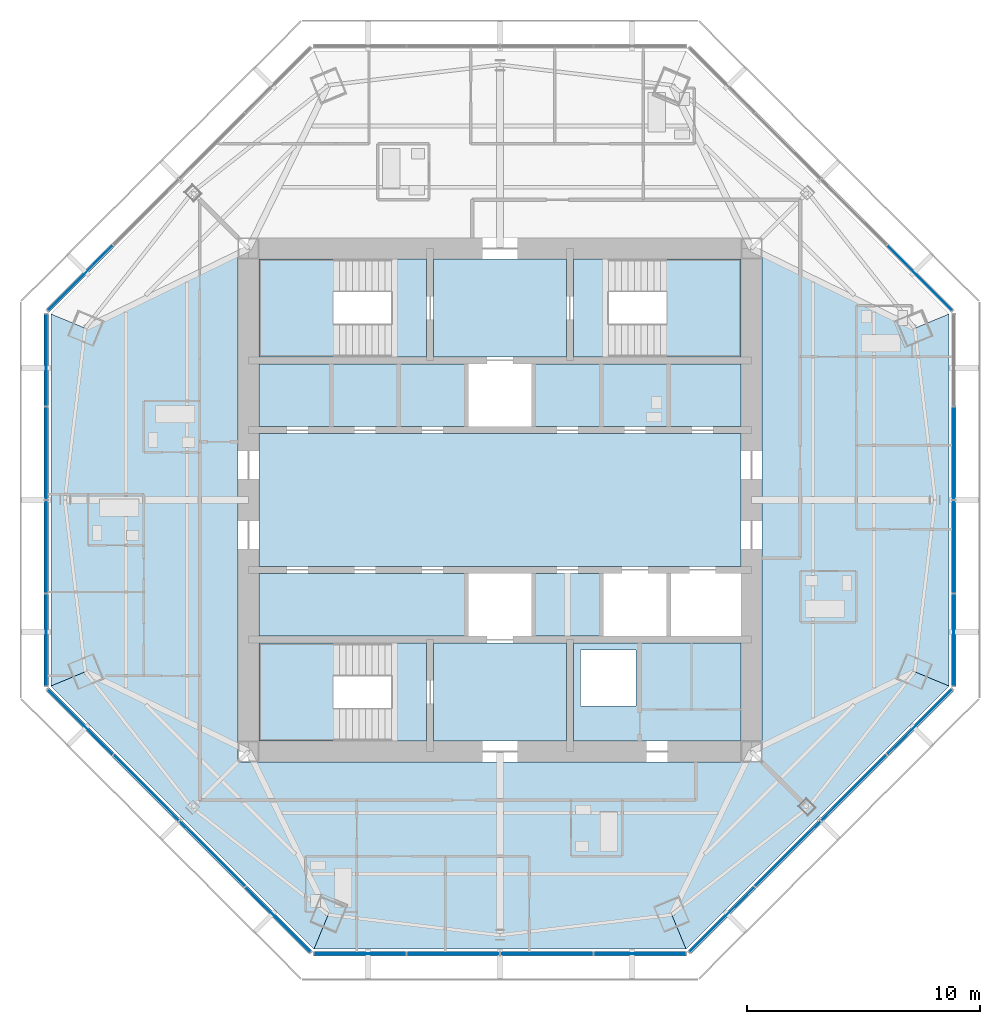
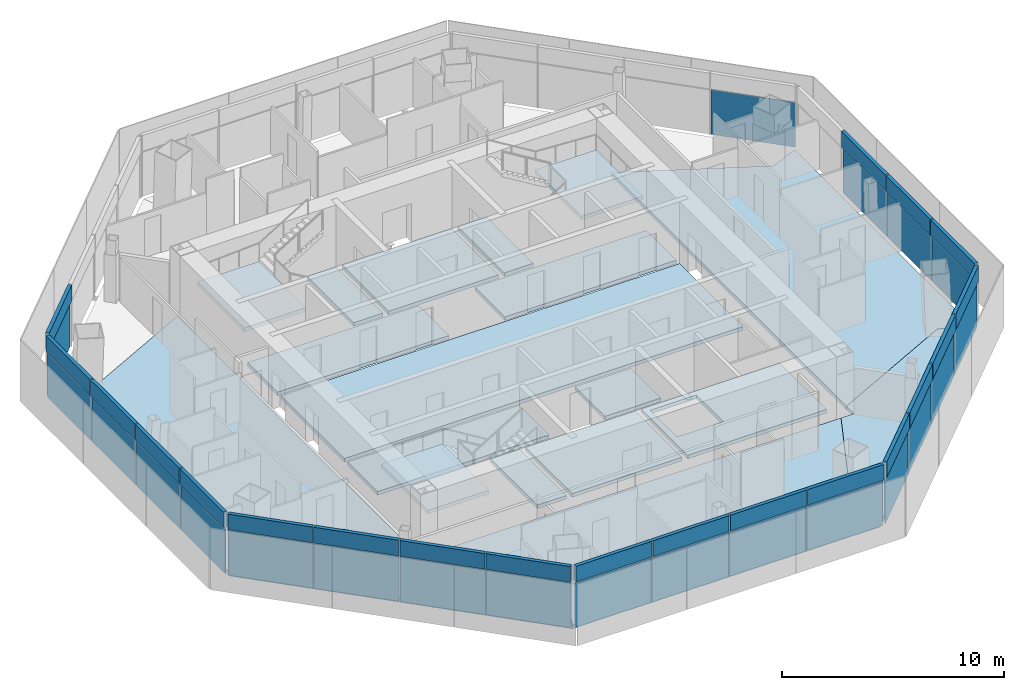
# One storey, part 7 of 15: 41 plates, 19 slabs, 10 elements without a shape of their own.
"""IFC4 building model written with IfcOpenShell, lengths in metres."""

import ifcopenshell
import ifcopenshell.guid

model = None  # the IFC model being written
_history = None  # IfcOwnerHistory: only IFC2X3 demands one
_inside = {}  # id of a spatial element -> (the spatial element, [elements in it])
_under = {}  # id of a project, library or spatial element -> (it, [spatial elements below it])
_declared = {}  # id of a project -> (the project, [libraries it declares])
_typed = {}  # id of a type object -> (the type object, [elements of that type])
_made_of = {}  # id of a material, layer set ... -> (it, [elements and type objects made of it])


def new_model(schema):
    """Start an empty IFC model of exactly this schema.

    Asked for "IFC4X3", IfcOpenShell would pick the latest addendum, in which some entities
    have other attributes; the version numbers below select the first issue.
    IFC2X3 requires an IfcOwnerHistory on every rooted entity: one is made here for all.
    """
    global model, _history
    if schema == "IFC4X3":
        model = ifcopenshell.file(schema_version=(4, 3, 0, 0))
    else:
        model = ifcopenshell.file(schema=schema)
    _inside.clear()
    _under.clear()
    _declared.clear()
    _typed.clear()
    _made_of.clear()
    _history = None
    if model.schema == "IFC2X3":
        org = make("IfcOrganization", Name="unknown")
        user = make(
            "IfcPersonAndOrganization",
            ThePerson=make("IfcPerson", FamilyName="unknown"),
            TheOrganization=org,
        )
        app = make(
            "IfcApplication",
            ApplicationDeveloper=org,
            Version="unknown",
            ApplicationFullName="unknown",
            ApplicationIdentifier="unknown",
        )
        _history = make(
            "IfcOwnerHistory",
            OwningUser=user,
            OwningApplication=app,
            ChangeAction="ADDED",
            CreationDate=0,
        )
    return model


def make(cls, **values):
    """One entity of the class cls with the attributes given. An attribute that is None is left unset."""
    return model.create_entity(
        cls, **{name: value for name, value in values.items() if value is not None}
    )


def rooted(cls, **values):
    """An entity with a GlobalId (a new one), such as an element, a storey or a relation."""
    return make(cls, GlobalId=ifcopenshell.guid.new(), OwnerHistory=_history, **values)


def si_unit(unit_type, name, prefix=None):
    """IfcSIUnit, for example si_unit("LENGTHUNIT", "METRE", prefix="MILLI")."""
    return make("IfcSIUnit", UnitType=unit_type, Prefix=prefix, Name=name)


def assignment(units):
    """IfcUnitAssignment: the units of a project."""
    return None if units is None else make("IfcUnitAssignment", Units=units)


def point(xyz):
    """IfcCartesianPoint."""
    return None if xyz is None else make("IfcCartesianPoint", Coordinates=xyz)


def direction(xyz):
    """IfcDirection."""
    return None if xyz is None else make("IfcDirection", DirectionRatios=xyz)


def frame(location, z_axis=None, x_axis=None):
    """IfcAxis2Placement3D, a coordinate frame: its origin and axes. An axis left out is left unset."""
    return make(
        "IfcAxis2Placement3D",
        Location=point(location),
        Axis=direction(z_axis),
        RefDirection=direction(x_axis),
    )


def frame_2d(location, x_axis=None):
    """IfcAxis2Placement2D, a coordinate frame in the plane: its origin and x axis."""
    return make(
        "IfcAxis2Placement2D", Location=point(location), RefDirection=direction(x_axis)
    )


def origin():
    """The frame at (0, 0, 0) with its axes left unset."""
    return frame((0.0, 0.0, 0.0))


def origin_2d():
    """The frame at (0, 0) in the plane with its x axis left unset."""
    return frame_2d((0.0, 0.0))


def place(relative_to, where):
    """IfcLocalPlacement: puts the frame where relative to a parent placement (None: the world)."""
    return make(
        "IfcLocalPlacement", PlacementRelTo=relative_to, RelativePlacement=where
    )


def context(
    kind, dimensions, precision=None, world=None, true_north=None, identifier=None
):
    """IfcGeometricRepresentationContext, for example the 3D "Model" context."""
    return make(
        "IfcGeometricRepresentationContext",
        ContextIdentifier=identifier,
        ContextType=kind,
        CoordinateSpaceDimension=dimensions,
        Precision=precision,
        WorldCoordinateSystem=world,
        TrueNorth=true_north,
    )


def subcontext(parent, identifier, kind, view, scale=None):
    """IfcGeometricRepresentationSubContext, for example "Body" below "Model"."""
    return make(
        "IfcGeometricRepresentationSubContext",
        ContextIdentifier=identifier,
        ContextType=kind,
        ParentContext=parent,
        TargetScale=scale,
        TargetView=view,
    )


def project(units=None, contexts=None):
    """IfcProject with its units and contexts."""
    return rooted(
        "IfcProject",
        Name="project",
        RepresentationContexts=contexts,
        UnitsInContext=assignment(units),
    )


def spatial(cls, under=None, at=None, **own):
    """A site, building, storey or space (cls), placed at a placement, below another one or the project."""
    s = rooted(cls, ObjectPlacement=at, **own)
    if under is not None:
        _under.setdefault(under.id(), (under, []))[1].append(s)
    return s


def polyline(points):
    """IfcPolyline through the points."""
    return make("IfcPolyline", Points=[point(p) for p in points])


def profile(cls, at=None, kind="AREA", **sizes):
    """A parametric profile (cls). Its sizes go by their IFC names, for example OverallWidth=200.0."""
    return make(cls, ProfileType=kind, Position=at, **sizes)


def rectangle(**sizes):
    """IfcRectangleProfileDef."""
    return profile("IfcRectangleProfileDef", **sizes)


def outline(outer, holes=None, kind="AREA"):
    """IfcArbitraryClosedProfileDef: a profile drawn as a closed curve; with holes, ...WithVoids."""
    if holes is None:
        return make("IfcArbitraryClosedProfileDef", ProfileType=kind, OuterCurve=outer)
    return make(
        "IfcArbitraryProfileDefWithVoids",
        ProfileType=kind,
        OuterCurve=outer,
        InnerCurves=holes,
    )


def extrude(swept, where, along, depth):
    """IfcExtrudedAreaSolid: the profile swept, set in the frame where, extruded along a direction by depth."""
    return make(
        "IfcExtrudedAreaSolid",
        SweptArea=swept,
        Position=where,
        ExtrudedDirection=direction(along),
        Depth=depth,
    )


def shape(context_of_items, identifier, shape_type, items):
    """IfcShapeRepresentation: the items that make up one representation, for example the "Body"."""
    return make(
        "IfcShapeRepresentation",
        ContextOfItems=context_of_items,
        RepresentationIdentifier=identifier,
        RepresentationType=shape_type,
        Items=items,
    )


def source(mapping_origin, context_of_items, identifier, shape_type, items):
    """IfcRepresentationMap: a shape defined once, which mapped items show again and again."""
    return make(
        "IfcRepresentationMap",
        MappingOrigin=mapping_origin,
        MappedRepresentation=shape(context_of_items, identifier, shape_type, items),
    )


def transform(
    local_origin,
    x_axis=None,
    y_axis=None,
    z_axis=None,
    scale=None,
    scale2=None,
    scale3=None,
    uniform=True,
):
    """IfcCartesianTransformationOperator3D, or its non-uniform kind. x_axis, y_axis, z_axis: its Axis1, 2, 3."""
    if uniform:
        return make(
            "IfcCartesianTransformationOperator3D",
            Axis1=direction(x_axis),
            Axis2=direction(y_axis),
            LocalOrigin=point(local_origin),
            Scale=scale,
            Axis3=direction(z_axis),
        )
    return make(
        "IfcCartesianTransformationOperator3DnonUniform",
        Axis1=direction(x_axis),
        Axis2=direction(y_axis),
        LocalOrigin=point(local_origin),
        Scale=scale,
        Axis3=direction(z_axis),
        Scale2=scale2,
        Scale3=scale3,
    )


def mapped(mapping_source, mapping_target):
    """IfcMappedItem: shows the shape of a source again, moved by a transform."""
    return make(
        "IfcMappedItem", MappingSource=mapping_source, MappingTarget=mapping_target
    )


def material(Name=None, Category=None):
    """IfcMaterial."""
    return make("IfcMaterial", Name=Name, Category=Category)


def layer(
    of_material, thickness, ventilated=None, Name=None, Category=None, Priority=None
):
    """IfcMaterialLayer: one layer of a wall or slab, of a material (None: an air gap)."""
    return make(
        "IfcMaterialLayer",
        Material=of_material,
        LayerThickness=thickness,
        IsVentilated=ventilated,
        Name=Name,
        Category=Category,
        Priority=Priority,
    )


def layer_set(layers, Name=None):
    """IfcMaterialLayerSet."""
    return make("IfcMaterialLayerSet", MaterialLayers=layers, LayerSetName=Name)


def made_of(thing, what):
    """Note that an element or type object is made of a material, layer set ...; save() writes the relation."""
    if what is not None:
        _made_of.setdefault(what.id(), (what, []))[1].append(thing)
    return thing


def type_object(cls, material=None, **own):
    """A type object (cls), such as IfcWallType, which elements share."""
    return made_of(rooted(cls, **own), material)


def type_shapes(of_type, sources):
    """Give a type object the sources (RepresentationMaps) that its elements show as mapped items."""
    of_type.RepresentationMaps = sources


def element(
    cls,
    number,
    at=None,
    inside=None,
    cuts=None,
    type_object=None,
    material=None,
    context=None,
    identifier="Body",
    shape_type=None,
    held_by="IfcProductDefinitionShape",
    body=None,
    shapes=None,
    **own,
):
    """One element of the class cls, such as IfcWall. Its Tag is "e" and its number.

    at: its placement. inside: the storey or other place that contains it. cuts: it is an
    opening in that element (IfcRelVoidsElement). A single representation is given by context,
    identifier, shape_type and body (its items); several are given by shapes. held_by: the class
    of the entity that holds the representations. save() writes the other relations.
    """
    e = rooted(cls, Tag="e%d" % number, ObjectPlacement=at, **own)
    if body is not None:
        shapes = [shape(context, identifier, shape_type, body)]
    if shapes is not None:
        e.Representation = make(held_by, Representations=shapes)
    if inside is not None:
        _inside.setdefault(inside.id(), (inside, []))[1].append(e)
    if cuts is not None:
        rooted(
            "IfcRelVoidsElement", RelatingBuildingElement=cuts, RelatedOpeningElement=e
        )
    if type_object is not None:
        _typed.setdefault(type_object.id(), (type_object, []))[1].append(e)
    return made_of(e, material)


def aggregate(whole, parts):
    """IfcRelAggregates: a whole, such as a stair, and the parts it consists of."""
    return rooted("IfcRelAggregates", RelatingObject=whole, RelatedObjects=parts)


def save(model, path):
    """Write the relations noted so far, then the file.

    IfcRelAggregates (storeys below a building ...), IfcRelContainedInSpatialStructure (elements
    in a storey), IfcRelDefinesByType, IfcRelAssociatesMaterial and IfcRelDeclares: one each for
    every whole, place, type object, material and project.
    """
    for whole, parts in _under.values():
        aggregate(whole, parts)
    for where, things in _inside.values():
        rooted(
            "IfcRelContainedInSpatialStructure",
            RelatedElements=things,
            RelatingStructure=where,
        )
    for kind, things in _typed.values():
        rooted("IfcRelDefinesByType", RelatedObjects=things, RelatingType=kind)
    for what, things in _made_of.values():
        rooted("IfcRelAssociatesMaterial", RelatedObjects=things, RelatingMaterial=what)
    for by, libraries in _declared.values():
        rooted("IfcRelDeclares", RelatingContext=by, RelatedDefinitions=libraries)
    model.write(path)


model = new_model("IFC4")

# Units and contexts
model_context = context("Model", 3, precision=1e-05, world=origin(), true_north=direction((0.0, 1.0)))
body_context = subcontext(model_context, "Body", "Model", "MODEL_VIEW")
ifc_project = project(units=[si_unit("LENGTHUNIT", "METRE"), si_unit("AREAUNIT", "SQUARE_METRE"), si_unit("VOLUMEUNIT", "CUBIC_METRE"), si_unit("PLANEANGLEUNIT", "RADIAN"), si_unit("MASSUNIT", "GRAM", prefix="KILO")], contexts=[model_context])

# Site, building, storey
site_placement = place(None, origin())
site = spatial("IfcSite", under=ifc_project, at=site_placement, CompositionType="ELEMENT")
building_placement = place(site_placement, origin())
building = spatial("IfcBuilding", under=site, at=building_placement, Name="Mashrafa Tower", CompositionType="ELEMENT")
storey_placement = place(building_placement, frame((0.0, 0.0, 301.39990234375)))
storey = spatial("IfcBuildingStorey", under=building, at=storey_placement, Name="L74", CompositionType="ELEMENT", Elevation=301.39990234375)

# Slabs
ifc_material_1 = material(Name="Concrete C35/45", Category="concrete")
ifc_layer_1 = layer(ifc_material_1, 0.199951171875)
ifc_layer_set_1 = layer_set([ifc_layer_1], Name="Floor slab 200")
slab_type_1 = type_object("IfcSlabType", Name="Floor slab 200", PredefinedType="FLOOR", material=ifc_layer_set_1)
slab_1_placement = place(storey_placement, frame((0.0, 0.0, -0.199951171875)))
element("IfcSlab", 1, at=slab_1_placement, inside=storey, type_object=slab_type_1, Name="Floor slab L74 east bay", PredefinedType="FLOOR", context=body_context, shape_type="SweptSolid", body=[
    extrude(outline(polyline([(19.28857421875, -7.989501953125), (17.81591796875, -7.379638671875), (11.25, -10.58056640625), (11.25, 10.58056640625), (17.81591796875, 7.379638671875), (19.28857421875, 7.989501953125), (19.28857421875, -7.989501953125)])), origin(), (0.0, 0.0, 1.0), 0.199951171875),
])
slab_2_placement = place(storey_placement, frame((0.0, 0.0, -0.199951171875)))
element("IfcSlab", 2, at=slab_2_placement, inside=storey, type_object=slab_type_1, Name="Floor slab L74 west bay", PredefinedType="FLOOR", context=body_context, shape_type="SweptSolid", body=[
    extrude(outline(polyline([(-19.28857421875, 7.989501953125), (-17.81591796875, 7.379638671875), (-11.25, 10.58056640625), (-11.25, -10.58056640625), (-17.81591796875, -7.379638671875), (-19.28857421875, -7.989501953125), (-19.28857421875, 7.989501953125)])), origin(), (0.0, 0.0, 1.0), 0.199951171875),
])
slab_3_placement = place(storey_placement, frame((0.0, 0.0, -0.199951171875)))
element("IfcSlab", 3, at=slab_3_placement, inside=storey, type_object=slab_type_1, Name="Floor slab L74 south-west bay", PredefinedType="FLOOR", context=body_context, shape_type="SweptSolid", body=[
    extrude(outline(polyline([(-7.989501953125, -19.28857421875), (-19.28857421875, -7.989501953125), (-19.28857421875, -7.989501953125), (-17.81591796875, -7.379638671875), (-11.25, -10.58056640625), (-11.25, -11.25), (-10.58056640625, -11.25), (-7.379638671875, -17.81591796875), (-7.989501953125, -19.28857421875), (-7.989501953125, -19.28857421875)])), origin(), (0.0, 0.0, 1.0), 0.199951171875),
])
slab_4_placement = place(storey_placement, frame((0.0, 0.0, -0.199951171875)))
element("IfcSlab", 4, at=slab_4_placement, inside=storey, type_object=slab_type_1, Name="Floor slab L74 south bay", PredefinedType="FLOOR", context=body_context, shape_type="SweptSolid", body=[
    extrude(outline(polyline([(-7.989501953125, -19.28857421875), (-7.379638671875, -17.81591796875), (-10.58056640625, -11.25), (10.58056640625, -11.25), (7.379638671875, -17.81591796875), (7.989501953125, -19.28857421875), (-7.989501953125, -19.28857421875)])), origin(), (0.0, 0.0, 1.0), 0.199951171875),
])
slab_5_placement = place(storey_placement, frame((0.0, 0.0, -0.199951171875)))
element("IfcSlab", 5, at=slab_5_placement, inside=storey, type_object=slab_type_1, Name="Floor slab L74 south-east bay", PredefinedType="FLOOR", context=body_context, shape_type="SweptSolid", body=[
    extrude(outline(polyline([(7.989501953125, -19.28857421875), (7.379638671875, -17.81591796875), (10.58056640625, -11.25), (11.25, -11.25), (11.25, -10.58056640625), (17.81591796875, -7.379638671875), (19.28857421875, -7.989501953125), (19.28857421875, -7.989501953125), (7.989501953125, -19.28857421875), (7.989501953125, -19.28857421875)])), origin(), (0.0, 0.0, 1.0), 0.199951171875),
])
slab_6_placement = place(storey_placement, frame((0.0, 0.0, -0.199951171875)))
element("IfcSlab", 6, at=slab_6_placement, inside=storey, type_object=slab_type_1, Name="Core floor lift hall L74", PredefinedType="FLOOR", context=body_context, shape_type="SweptSolid", body=[
    extrude(outline(polyline([(-10.35009765625, 2.85009765625), (10.35009765625, 2.85009765625), (10.35009765625, -2.85009765625), (-10.35009765625, -2.85009765625), (-10.35009765625, 2.85009765625)])), origin(), (0.0, 0.0, 1.0), 0.199951171875),
])
slab_7_placement = place(storey_placement, frame((0.0, 0.0, -0.199951171875)))
element("IfcSlab", 7, at=slab_7_placement, inside=storey, type_object=slab_type_1, Name="Core floor riser and electrical band L74", PredefinedType="FLOOR", context=body_context, shape_type="SweptSolid", body=[
    extrude(outline(polyline([(10.35009765625, -6.14990234375), (10.35009765625, -10.35009765625), (3.14990234375, -10.35009765625), (3.14990234375, -6.14990234375), (10.35009765625, -6.14990234375)]), holes=[polyline([(3.449951171875, -8.85009765625), (5.85009765625, -8.85009765625), (5.85009765625, -6.449951171875), (3.449951171875, -6.449951171875), (3.449951171875, -8.85009765625)])]), origin(), (0.0, 0.0, 1.0), 0.199951171875),
])
slab_8_placement = place(storey_placement, frame((0.0, 0.0, -0.199951171875)))
element("IfcSlab", 8, at=slab_8_placement, inside=storey, type_object=slab_type_1, Name="Core floor lift cell L74", PredefinedType="FLOOR", context=body_context, shape_type="SweptSolid", body=[
    extrude(outline(polyline([(10.35009765625, 5.85009765625), (10.35009765625, 3.14990234375), (1.449951171875, 3.14990234375), (1.449951171875, 5.85009765625), (10.35009765625, 5.85009765625)])), origin(), (0.0, 0.0, 1.0), 0.199951171875),
])
slab_9_placement = place(storey_placement, frame((0.0, 0.0, -0.199951171875)))
element("IfcSlab", 9, at=slab_9_placement, inside=storey, type_object=slab_type_1, Name="Core floor lift cell L74", PredefinedType="FLOOR", context=body_context, shape_type="SweptSolid", body=[
    extrude(outline(polyline([(-1.449951171875, 3.14990234375), (-10.35009765625, 3.14990234375), (-10.35009765625, 5.85009765625), (-1.449951171875, 5.85009765625), (-1.449951171875, 3.14990234375)])), origin(), (0.0, 0.0, 1.0), 0.199951171875),
])
slab_10_placement = place(storey_placement, frame((0.0, 0.0, -0.199951171875)))
element("IfcSlab", 10, at=slab_10_placement, inside=storey, type_object=slab_type_1, Name="Core floor lift cell L74", PredefinedType="FLOOR", context=body_context, shape_type="SweptSolid", body=[
    extrude(outline(polyline([(-1.449951171875, -3.14990234375), (-1.449951171875, -5.85009765625), (-10.35009765625, -5.85009765625), (-10.35009765625, -3.14990234375), (-1.449951171875, -3.14990234375)])), origin(), (0.0, 0.0, 1.0), 0.199951171875),
])
slab_11_placement = place(storey_placement, frame((0.0, 0.0, -0.199951171875)))
element("IfcSlab", 11, at=slab_11_placement, inside=storey, type_object=slab_type_1, Name="Core floor fire-fighting lobby south L74", PredefinedType="FLOOR", context=body_context, shape_type="SweptSolid", body=[
    extrude(outline(polyline([(2.85009765625, -6.14990234375), (2.85009765625, -10.35009765625), (-2.85009765625, -10.35009765625), (-2.85009765625, -6.14990234375), (2.85009765625, -6.14990234375)])), origin(), (0.0, 0.0, 1.0), 0.199951171875),
])
slab_12_placement = place(storey_placement, frame((0.0, 0.0, -0.199951171875)))
element("IfcSlab", 12, at=slab_12_placement, inside=storey, type_object=slab_type_1, Name="Core floor fire-fighting lobby north L74", PredefinedType="FLOOR", context=body_context, shape_type="SweptSolid", body=[
    extrude(outline(polyline([(-2.85009765625, 10.35009765625), (2.85009765625, 10.35009765625), (2.85009765625, 6.14990234375), (-2.85009765625, 6.14990234375), (-2.85009765625, 10.35009765625)])), origin(), (0.0, 0.0, 1.0), 0.199951171875),
])
slab_13_placement = place(storey_placement, frame((0.0, 0.0, -0.199951171875)))
element("IfcSlab", 13, at=slab_13_placement, inside=storey, type_object=slab_type_1, Name="Core floor lift cell L74", PredefinedType="FLOOR", context=body_context, shape_type="SweptSolid", body=[
    extrude(outline(polyline([(4.35009765625, -3.14990234375), (4.35009765625, -5.85009765625), (1.449951171875, -5.85009765625), (1.449951171875, -3.14990234375), (4.35009765625, -3.14990234375)])), origin(), (0.0, 0.0, 1.0), 0.199951171875),
])

# Stair, slabs
ifc_material_2 = material(Name="Exit stair 1400")
stair_type = type_object("IfcStairType", Name="Exit stair 1400", PredefinedType="HALF_TURN_STAIR", material=ifc_material_2)
stair_1_placement = place(storey_placement, origin())
stair_1 = element("IfcStair", 14, at=stair_1_placement, inside=storey, type_object=stair_type, Name="Stair S1 L74", PredefinedType="HALF_TURN_STAIR")
ifc_material_3 = material(Name="Concrete C32/40", Category="concrete")
ifc_layer_2 = layer(ifc_material_3, 0.199951171875)
ifc_layer_set_2 = layer_set([ifc_layer_2], Name="Stair landing 200")
slab_type_2 = type_object("IfcSlabType", Name="Stair landing 200", PredefinedType="LANDING", material=ifc_layer_set_2)
slab_14_placement = place(storey_placement, frame((0.0, 0.0, -0.199951171875)))
slab_14 = element("IfcSlab", 15, at=slab_14_placement, type_object=slab_type_2, Name="S1 landing 1", PredefinedType="LANDING", context=body_context, shape_type="SweptSolid", body=[
    extrude(outline(polyline([(-4.659912109375, 6.14990234375), (-3.14990234375, 6.14990234375), (-3.14990234375, 10.35009765625), (-4.659912109375, 10.35009765625), (-4.659912109375, 6.14990234375)])), origin(), (0.0, 0.0, 1.0), 0.199951171875),
])
slab_15_placement = place(storey_placement, frame((0.0, 0.0, 1.5)))
slab_15 = element("IfcSlab", 16, at=slab_15_placement, type_object=slab_type_2, Name="S1 landing 2", PredefinedType="LANDING", context=body_context, shape_type="SweptSolid", body=[
    extrude(outline(polyline([(-10.35009765625, 6.14990234375), (-7.159912109375, 6.14990234375), (-7.159912109375, 10.35009765625), (-10.35009765625, 10.35009765625), (-10.35009765625, 6.14990234375)])), origin(), (0.0, 0.0, 1.0), 0.2001953125),
])
aggregate(stair_1, [slab_14, slab_15])

stair_2_placement = place(storey_placement, origin())
stair_2 = element("IfcStair", 17, at=stair_2_placement, inside=storey, type_object=stair_type, Name="Stair S2 L74", PredefinedType="HALF_TURN_STAIR")
slab_16_placement = place(storey_placement, frame((0.0, 0.0, -0.199951171875)))
slab_16 = element("IfcSlab", 18, at=slab_16_placement, type_object=slab_type_2, Name="S2 landing 1", PredefinedType="LANDING", context=body_context, shape_type="SweptSolid", body=[
    extrude(outline(polyline([(3.14990234375, 6.14990234375), (4.659912109375, 6.14990234375), (4.659912109375, 10.35009765625), (3.14990234375, 10.35009765625), (3.14990234375, 6.14990234375)])), origin(), (0.0, 0.0, 1.0), 0.199951171875),
])
slab_17_placement = place(storey_placement, frame((0.0, 0.0, 1.5)))
slab_17 = element("IfcSlab", 19, at=slab_17_placement, type_object=slab_type_2, Name="S2 landing 2", PredefinedType="LANDING", context=body_context, shape_type="SweptSolid", body=[
    extrude(outline(polyline([(7.159912109375, 6.14990234375), (10.35009765625, 6.14990234375), (10.35009765625, 10.35009765625), (7.159912109375, 10.35009765625), (7.159912109375, 6.14990234375)])), origin(), (0.0, 0.0, 1.0), 0.2001953125),
])
aggregate(stair_2, [slab_16, slab_17])

stair_3_placement = place(storey_placement, origin())
stair_3 = element("IfcStair", 20, at=stair_3_placement, inside=storey, type_object=stair_type, Name="Stair S3 L74", PredefinedType="HALF_TURN_STAIR")
slab_18_placement = place(storey_placement, frame((0.0, 0.0, -0.199951171875)))
slab_18 = element("IfcSlab", 21, at=slab_18_placement, type_object=slab_type_2, Name="S3 landing 1", PredefinedType="LANDING", context=body_context, shape_type="SweptSolid", body=[
    extrude(outline(polyline([(-4.659912109375, -10.35009765625), (-3.14990234375, -10.35009765625), (-3.14990234375, -6.14990234375), (-4.659912109375, -6.14990234375), (-4.659912109375, -10.35009765625)])), origin(), (0.0, 0.0, 1.0), 0.199951171875),
])
slab_19_placement = place(storey_placement, frame((0.0, 0.0, 1.5)))
slab_19 = element("IfcSlab", 22, at=slab_19_placement, type_object=slab_type_2, Name="S3 landing 2", PredefinedType="LANDING", context=body_context, shape_type="SweptSolid", body=[
    extrude(outline(polyline([(-10.35009765625, -10.35009765625), (-7.159912109375, -10.35009765625), (-7.159912109375, -6.14990234375), (-10.35009765625, -6.14990234375), (-10.35009765625, -10.35009765625)])), origin(), (0.0, 0.0, 1.0), 0.2001953125),
])
aggregate(stair_3, [slab_18, slab_19])

# Curtain wall, plate
ifc_material_4 = material(Name="Unitised aluminium curtain wall", Category="aluminium")
curtain_wall_type = type_object("IfcCurtainWallType", Name="Apartment curtain wall, zone 4 CW-D 160 deep", PredefinedType="NOTDEFINED", material=ifc_material_4)
curtain_wall_1_placement = place(storey_placement, origin())
curtain_wall_1 = element("IfcCurtainWall", 23, at=curtain_wall_1_placement, inside=storey, type_object=curtain_wall_type, Name="Apartment curtain wall, zone 4 L74 east", PredefinedType="NOTDEFINED")
ifc_material_5 = material(Name="Insulated double glazing, acoustic", Category="glass")
ifc_layer_3 = layer(ifc_material_5, 0.028076171875)
ifc_layer_set_3 = layer_set([ifc_layer_3], Name="Vision panel CW-D 28")
plate_type_1 = type_object("IfcPlateType", Name="Vision panel CW-D 28", PredefinedType="CURTAIN_PANEL", material=ifc_layer_set_3)
shared_shape_1 = source(origin(), body_context, "Body", "SweptSolid", [
    extrude(rectangle(XDim=3.924560546875, YDim=0.028076171875, at=origin_2d()), origin(), (0.0, 0.0, 1.0), 2.46240234375),
])
plate_1_placement = place(storey_placement, frame((19.488525390625, -6.007080078125, 0.000244140625), z_axis=(0.0, 0.0, 1.0), x_axis=(0.0, 1.0, 0.0)))
plate_1 = element("IfcPlate", 24, at=plate_1_placement, type_object=plate_type_1, Name="CW-D vision panel 1", PredefinedType="CURTAIN_PANEL", context=body_context, shape_type="MappedRepresentation", body=[
    mapped(shared_shape_1, transform((0.0, 0.0, 0.0))),
])

curtain_wall_2_placement = place(storey_placement, origin())
curtain_wall_2 = element("IfcCurtainWall", 25, at=curtain_wall_2_placement, inside=storey, type_object=curtain_wall_type, Name="Apartment curtain wall, zone 4 L74 north-east", PredefinedType="NOTDEFINED")
plate_2_placement = place(storey_placement, frame((18.028076171875, 9.532958984375, 0.000244140625), z_axis=(0.0, 0.0, 1.0), x_axis=(-0.707106781187, 0.707106781187, 0.0)))
plate_2 = element("IfcPlate", 26, at=plate_2_placement, type_object=plate_type_1, Name="CW-D vision panel 1", PredefinedType="CURTAIN_PANEL", context=body_context, shape_type="MappedRepresentation", body=[
    mapped(shared_shape_1, transform((0.0, 0.0, 0.0))),
])
aggregate(curtain_wall_2, [plate_2])

curtain_wall_3_placement = place(storey_placement, origin())
curtain_wall_3 = element("IfcCurtainWall", 27, at=curtain_wall_3_placement, inside=storey, type_object=curtain_wall_type, Name="Apartment curtain wall, zone 4 L74 north-west", PredefinedType="NOTDEFINED")
plate_3_placement = place(storey_placement, frame((-18.028076171875, 9.532958984375, 0.000244140625), z_axis=(0.0, 0.0, 1.0), x_axis=(-0.707106781187, -0.707106781187, 0.0)))
plate_3 = element("IfcPlate", 28, at=plate_3_placement, type_object=plate_type_1, Name="CW-D vision panel 4", PredefinedType="CURTAIN_PANEL", context=body_context, shape_type="MappedRepresentation", body=[
    mapped(shared_shape_1, transform((0.0, 0.0, 0.0))),
])

# Curtain wall, plates
curtain_wall_4_placement = place(storey_placement, origin())
curtain_wall_4 = element("IfcCurtainWall", 29, at=curtain_wall_4_placement, inside=storey, type_object=curtain_wall_type, Name="Apartment curtain wall, zone 4 L74 west", PredefinedType="NOTDEFINED")
plate_4_placement = place(storey_placement, frame((-19.488525390625, 6.007080078125, 0.000244140625), z_axis=(0.0, 0.0, 1.0), x_axis=(0.0, -1.0, 0.0)))
plate_4 = element("IfcPlate", 30, at=plate_4_placement, type_object=plate_type_1, Name="CW-D vision panel 1", PredefinedType="CURTAIN_PANEL", context=body_context, shape_type="MappedRepresentation", body=[
    mapped(shared_shape_1, transform((0.0, 0.0, 0.0))),
])
plate_5_placement = place(storey_placement, frame((-19.488525390625, -6.007080078125, 0.000244140625), z_axis=(0.0, 0.0, 1.0), x_axis=(0.0, -1.0, 0.0)))
plate_5 = element("IfcPlate", 31, at=plate_5_placement, type_object=plate_type_1, Name="CW-D vision panel 4", PredefinedType="CURTAIN_PANEL", context=body_context, shape_type="MappedRepresentation", body=[
    mapped(shared_shape_1, transform((0.0, 0.0, 0.0))),
])

curtain_wall_5_placement = place(storey_placement, origin())
curtain_wall_5 = element("IfcCurtainWall", 32, at=curtain_wall_5_placement, inside=storey, type_object=curtain_wall_type, Name="Apartment curtain wall, zone 4 L74 south-west", PredefinedType="NOTDEFINED")
plate_6_placement = place(storey_placement, frame((-18.028076171875, -9.532958984375, 0.000244140625), z_axis=(0.0, 0.0, 1.0), x_axis=(0.707106781187, -0.707106781187, 0.0)))
plate_6 = element("IfcPlate", 33, at=plate_6_placement, type_object=plate_type_1, Name="CW-D vision panel 1", PredefinedType="CURTAIN_PANEL", context=body_context, shape_type="MappedRepresentation", body=[
    mapped(shared_shape_1, transform((0.0, 0.0, 0.0))),
])
plate_7_placement = place(storey_placement, frame((-9.532958984375, -18.028076171875, 0.000244140625), z_axis=(0.0, 0.0, 1.0), x_axis=(0.707106781187, -0.707106781187, 0.0)))
plate_7 = element("IfcPlate", 34, at=plate_7_placement, type_object=plate_type_1, Name="CW-D vision panel 4", PredefinedType="CURTAIN_PANEL", context=body_context, shape_type="MappedRepresentation", body=[
    mapped(shared_shape_1, transform((0.0, 0.0, 0.0))),
])

curtain_wall_6_placement = place(storey_placement, origin())
curtain_wall_6 = element("IfcCurtainWall", 35, at=curtain_wall_6_placement, inside=storey, type_object=curtain_wall_type, Name="Apartment curtain wall, zone 4 L74 south", PredefinedType="NOTDEFINED")
plate_8_placement = place(storey_placement, frame((-6.007080078125, -19.488525390625, 0.000244140625), z_axis=(0.0, 0.0, 1.0), x_axis=(1.0, 0.0, 0.0)))
plate_8 = element("IfcPlate", 36, at=plate_8_placement, type_object=plate_type_1, Name="CW-D vision panel 1", PredefinedType="CURTAIN_PANEL", context=body_context, shape_type="MappedRepresentation", body=[
    mapped(shared_shape_1, transform((0.0, 0.0, 0.0))),
])
plate_9_placement = place(storey_placement, frame((6.007080078125, -19.488525390625, 0.000244140625), z_axis=(0.0, 0.0, 1.0), x_axis=(1.0, 0.0, 0.0)))
plate_9 = element("IfcPlate", 37, at=plate_9_placement, type_object=plate_type_1, Name="CW-D vision panel 4", PredefinedType="CURTAIN_PANEL", context=body_context, shape_type="MappedRepresentation", body=[
    mapped(shared_shape_1, transform((0.0, 0.0, 0.0))),
])

curtain_wall_7_placement = place(storey_placement, origin())
curtain_wall_7 = element("IfcCurtainWall", 38, at=curtain_wall_7_placement, inside=storey, type_object=curtain_wall_type, Name="Apartment curtain wall, zone 4 L74 south-east", PredefinedType="NOTDEFINED")
plate_10_placement = place(storey_placement, frame((9.532958984375, -18.028076171875, 0.000244140625), z_axis=(0.0, 0.0, 1.0), x_axis=(0.707106781187, 0.707106781187, 0.0)))
plate_10 = element("IfcPlate", 39, at=plate_10_placement, type_object=plate_type_1, Name="CW-D vision panel 1", PredefinedType="CURTAIN_PANEL", context=body_context, shape_type="MappedRepresentation", body=[
    mapped(shared_shape_1, transform((0.0, 0.0, 0.0))),
])
plate_11_placement = place(storey_placement, frame((18.028076171875, -9.532958984375, 0.000244140625), z_axis=(0.0, 0.0, 1.0), x_axis=(0.707106781187, 0.707106781187, 0.0)))
plate_11 = element("IfcPlate", 40, at=plate_11_placement, type_object=plate_type_1, Name="CW-D vision panel 4", PredefinedType="CURTAIN_PANEL", context=body_context, shape_type="MappedRepresentation", body=[
    mapped(shared_shape_1, transform((0.0, 0.0, 0.0))),
])

# Plate
ifc_material_6 = material(Name="Insulated bronze aluminium spandrel panel", Category="aluminium")
ifc_layer_4 = layer(ifc_material_6, 0.179931640625)
ifc_layer_set_4 = layer_set([ifc_layer_4], Name="Spandrel panel CW-D 180")
plate_type_2 = type_object("IfcPlateType", Name="Spandrel panel CW-D 180", PredefinedType="CURTAIN_PANEL", material=ifc_layer_set_4)
shared_shape_2 = source(origin(), body_context, "Body", "SweptSolid", [
    extrude(rectangle(XDim=3.924560546875, YDim=0.179931640625, at=origin_2d()), origin(), (0.0, 0.0, 1.0), 0.862548828125),
])
plate_12_placement = place(storey_placement, frame((19.488525390625, -6.007080078125, 2.53759765625), z_axis=(0.0, 0.0, 1.0), x_axis=(0.0, 1.0, 0.0)))
plate_12 = element("IfcPlate", 41, at=plate_12_placement, type_object=plate_type_2, Name="CW-D spandrel panel 1", PredefinedType="CURTAIN_PANEL", context=body_context, shape_type="MappedRepresentation", body=[
    mapped(shared_shape_2, transform((0.0, 0.0, 0.0))),
])

plate_13_placement = place(storey_placement, frame((-18.028076171875, 9.532958984375, 2.53759765625), z_axis=(0.0, 0.0, 1.0), x_axis=(-0.707106781187, -0.707106781187, 0.0)))
plate_13 = element("IfcPlate", 42, at=plate_13_placement, type_object=plate_type_2, Name="CW-D spandrel panel 4", PredefinedType="CURTAIN_PANEL", context=body_context, shape_type="MappedRepresentation", body=[
    mapped(shared_shape_2, transform((0.0, 0.0, 0.0))),
])

aggregate(curtain_wall_3, [plate_3, plate_13])

plate_14_placement = place(storey_placement, frame((-19.488525390625, 6.007080078125, 2.53759765625), z_axis=(0.0, 0.0, 1.0), x_axis=(0.0, -1.0, 0.0)))
plate_14 = element("IfcPlate", 43, at=plate_14_placement, type_object=plate_type_2, Name="CW-D spandrel panel 1", PredefinedType="CURTAIN_PANEL", context=body_context, shape_type="MappedRepresentation", body=[
    mapped(shared_shape_2, transform((0.0, 0.0, 0.0))),
])

plate_15_placement = place(storey_placement, frame((-19.488525390625, -6.007080078125, 2.53759765625), z_axis=(0.0, 0.0, 1.0), x_axis=(0.0, -1.0, 0.0)))
plate_15 = element("IfcPlate", 44, at=plate_15_placement, type_object=plate_type_2, Name="CW-D spandrel panel 4", PredefinedType="CURTAIN_PANEL", context=body_context, shape_type="MappedRepresentation", body=[
    mapped(shared_shape_2, transform((0.0, 0.0, 0.0))),
])

plate_16_placement = place(storey_placement, frame((-18.028076171875, -9.532958984375, 2.53759765625), z_axis=(0.0, 0.0, 1.0), x_axis=(0.707106781187, -0.707106781187, 0.0)))
plate_16 = element("IfcPlate", 45, at=plate_16_placement, type_object=plate_type_2, Name="CW-D spandrel panel 1", PredefinedType="CURTAIN_PANEL", context=body_context, shape_type="MappedRepresentation", body=[
    mapped(shared_shape_2, transform((0.0, 0.0, 0.0))),
])

plate_17_placement = place(storey_placement, frame((-9.532958984375, -18.028076171875, 2.53759765625), z_axis=(0.0, 0.0, 1.0), x_axis=(0.707106781187, -0.707106781187, 0.0)))
plate_17 = element("IfcPlate", 46, at=plate_17_placement, type_object=plate_type_2, Name="CW-D spandrel panel 4", PredefinedType="CURTAIN_PANEL", context=body_context, shape_type="MappedRepresentation", body=[
    mapped(shared_shape_2, transform((0.0, 0.0, 0.0))),
])

plate_18_placement = place(storey_placement, frame((-6.007080078125, -19.488525390625, 2.53759765625), z_axis=(0.0, 0.0, 1.0), x_axis=(1.0, 0.0, 0.0)))
plate_18 = element("IfcPlate", 47, at=plate_18_placement, type_object=plate_type_2, Name="CW-D spandrel panel 1", PredefinedType="CURTAIN_PANEL", context=body_context, shape_type="MappedRepresentation", body=[
    mapped(shared_shape_2, transform((0.0, 0.0, 0.0))),
])

plate_19_placement = place(storey_placement, frame((6.007080078125, -19.488525390625, 2.53759765625), z_axis=(0.0, 0.0, 1.0), x_axis=(1.0, 0.0, 0.0)))
plate_19 = element("IfcPlate", 48, at=plate_19_placement, type_object=plate_type_2, Name="CW-D spandrel panel 4", PredefinedType="CURTAIN_PANEL", context=body_context, shape_type="MappedRepresentation", body=[
    mapped(shared_shape_2, transform((0.0, 0.0, 0.0))),
])

plate_20_placement = place(storey_placement, frame((9.532958984375, -18.028076171875, 2.53759765625), z_axis=(0.0, 0.0, 1.0), x_axis=(0.707106781187, 0.707106781187, 0.0)))
plate_20 = element("IfcPlate", 49, at=plate_20_placement, type_object=plate_type_2, Name="CW-D spandrel panel 1", PredefinedType="CURTAIN_PANEL", context=body_context, shape_type="MappedRepresentation", body=[
    mapped(shared_shape_2, transform((0.0, 0.0, 0.0))),
])

plate_21_placement = place(storey_placement, frame((18.028076171875, -9.532958984375, 2.53759765625), z_axis=(0.0, 0.0, 1.0), x_axis=(0.707106781187, 0.707106781187, 0.0)))
plate_21 = element("IfcPlate", 50, at=plate_21_placement, type_object=plate_type_2, Name="CW-D spandrel panel 4", PredefinedType="CURTAIN_PANEL", context=body_context, shape_type="MappedRepresentation", body=[
    mapped(shared_shape_2, transform((0.0, 0.0, 0.0))),
])

shared_shape_3 = source(origin(), body_context, "Body", "SweptSolid", [
    extrude(rectangle(XDim=3.95458984375, YDim=0.028076171875, at=origin_2d()), origin(), (0.0, 0.0, 1.0), 2.46240234375),
])
type_shapes(plate_type_1, [shared_shape_1, shared_shape_3])
plate_22_placement = place(storey_placement, frame((19.488525390625, -2.00732421875, 0.000244140625), z_axis=(0.0, 0.0, 1.0), x_axis=(0.0, 1.0, 0.0)))
plate_22 = element("IfcPlate", 51, at=plate_22_placement, type_object=plate_type_1, Name="CW-D vision panel 2", PredefinedType="CURTAIN_PANEL", context=body_context, shape_type="MappedRepresentation", body=[
    mapped(shared_shape_3, transform((0.0, 0.0, 0.0))),
])

plate_23_placement = place(storey_placement, frame((19.488525390625, 2.00732421875, 0.000244140625), z_axis=(0.0, 0.0, 1.0), x_axis=(0.0, 1.0, 0.0)))
plate_23 = element("IfcPlate", 52, at=plate_23_placement, type_object=plate_type_1, Name="CW-D vision panel 3", PredefinedType="CURTAIN_PANEL", context=body_context, shape_type="MappedRepresentation", body=[
    mapped(shared_shape_3, transform((0.0, 0.0, 0.0))),
])

plate_24_placement = place(storey_placement, frame((-19.488525390625, 2.00732421875, 0.000244140625), z_axis=(0.0, 0.0, 1.0), x_axis=(0.0, -1.0, 0.0)))
plate_24 = element("IfcPlate", 53, at=plate_24_placement, type_object=plate_type_1, Name="CW-D vision panel 2", PredefinedType="CURTAIN_PANEL", context=body_context, shape_type="MappedRepresentation", body=[
    mapped(shared_shape_3, transform((0.0, 0.0, 0.0))),
])

plate_25_placement = place(storey_placement, frame((-19.488525390625, -2.00732421875, 0.000244140625), z_axis=(0.0, 0.0, 1.0), x_axis=(0.0, -1.0, 0.0)))
plate_25 = element("IfcPlate", 54, at=plate_25_placement, type_object=plate_type_1, Name="CW-D vision panel 3", PredefinedType="CURTAIN_PANEL", context=body_context, shape_type="MappedRepresentation", body=[
    mapped(shared_shape_3, transform((0.0, 0.0, 0.0))),
])

plate_26_placement = place(storey_placement, frame((-15.199951171875, -12.361083984375, 0.000244140625), z_axis=(0.0, 0.0, 1.0), x_axis=(0.707106781187, -0.707106781187, 0.0)))
plate_26 = element("IfcPlate", 55, at=plate_26_placement, type_object=plate_type_1, Name="CW-D vision panel 2", PredefinedType="CURTAIN_PANEL", context=body_context, shape_type="MappedRepresentation", body=[
    mapped(shared_shape_3, transform((0.0, 0.0, 0.0))),
])

plate_27_placement = place(storey_placement, frame((-12.361083984375, -15.199951171875, 0.000244140625), z_axis=(0.0, 0.0, 1.0), x_axis=(0.707106781187, -0.707106781187, 0.0)))
plate_27 = element("IfcPlate", 56, at=plate_27_placement, type_object=plate_type_1, Name="CW-D vision panel 3", PredefinedType="CURTAIN_PANEL", context=body_context, shape_type="MappedRepresentation", body=[
    mapped(shared_shape_3, transform((0.0, 0.0, 0.0))),
])

plate_28_placement = place(storey_placement, frame((-2.00732421875, -19.488525390625, 0.000244140625), z_axis=(0.0, 0.0, 1.0), x_axis=(1.0, 0.0, 0.0)))
plate_28 = element("IfcPlate", 57, at=plate_28_placement, type_object=plate_type_1, Name="CW-D vision panel 2", PredefinedType="CURTAIN_PANEL", context=body_context, shape_type="MappedRepresentation", body=[
    mapped(shared_shape_3, transform((0.0, 0.0, 0.0))),
])

plate_29_placement = place(storey_placement, frame((2.00732421875, -19.488525390625, 0.000244140625), z_axis=(0.0, 0.0, 1.0), x_axis=(1.0, 0.0, 0.0)))
plate_29 = element("IfcPlate", 58, at=plate_29_placement, type_object=plate_type_1, Name="CW-D vision panel 3", PredefinedType="CURTAIN_PANEL", context=body_context, shape_type="MappedRepresentation", body=[
    mapped(shared_shape_3, transform((0.0, 0.0, 0.0))),
])

plate_30_placement = place(storey_placement, frame((12.361083984375, -15.199951171875, 0.000244140625), z_axis=(0.0, 0.0, 1.0), x_axis=(0.707106781187, 0.707106781187, 0.0)))
plate_30 = element("IfcPlate", 59, at=plate_30_placement, type_object=plate_type_1, Name="CW-D vision panel 2", PredefinedType="CURTAIN_PANEL", context=body_context, shape_type="MappedRepresentation", body=[
    mapped(shared_shape_3, transform((0.0, 0.0, 0.0))),
])

plate_31_placement = place(storey_placement, frame((15.199951171875, -12.361083984375, 0.000244140625), z_axis=(0.0, 0.0, 1.0), x_axis=(0.707106781187, 0.707106781187, 0.0)))
plate_31 = element("IfcPlate", 60, at=plate_31_placement, type_object=plate_type_1, Name="CW-D vision panel 3", PredefinedType="CURTAIN_PANEL", context=body_context, shape_type="MappedRepresentation", body=[
    mapped(shared_shape_3, transform((0.0, 0.0, 0.0))),
])

shared_shape_4 = source(origin(), body_context, "Body", "SweptSolid", [
    extrude(rectangle(XDim=3.95458984375, YDim=0.179931640625, at=origin_2d()), origin(), (0.0, 0.0, 1.0), 0.862548828125),
])
type_shapes(plate_type_2, [shared_shape_2, shared_shape_4])
plate_32_placement = place(storey_placement, frame((19.488525390625, -2.00732421875, 2.53759765625), z_axis=(0.0, 0.0, 1.0), x_axis=(0.0, 1.0, 0.0)))
plate_32 = element("IfcPlate", 61, at=plate_32_placement, type_object=plate_type_2, Name="CW-D spandrel panel 2", PredefinedType="CURTAIN_PANEL", context=body_context, shape_type="MappedRepresentation", body=[
    mapped(shared_shape_4, transform((0.0, 0.0, 0.0))),
])

plate_33_placement = place(storey_placement, frame((19.488525390625, 2.00732421875, 2.53759765625), z_axis=(0.0, 0.0, 1.0), x_axis=(0.0, 1.0, 0.0)))
plate_33 = element("IfcPlate", 62, at=plate_33_placement, type_object=plate_type_2, Name="CW-D spandrel panel 3", PredefinedType="CURTAIN_PANEL", context=body_context, shape_type="MappedRepresentation", body=[
    mapped(shared_shape_4, transform((0.0, 0.0, 0.0))),
])

aggregate(curtain_wall_1, [plate_1, plate_12, plate_22, plate_32, plate_23, plate_33])

plate_34_placement = place(storey_placement, frame((-19.488525390625, 2.00732421875, 2.53759765625), z_axis=(0.0, 0.0, 1.0), x_axis=(0.0, -1.0, 0.0)))
plate_34 = element("IfcPlate", 63, at=plate_34_placement, type_object=plate_type_2, Name="CW-D spandrel panel 2", PredefinedType="CURTAIN_PANEL", context=body_context, shape_type="MappedRepresentation", body=[
    mapped(shared_shape_4, transform((0.0, 0.0, 0.0))),
])

plate_35_placement = place(storey_placement, frame((-19.488525390625, -2.00732421875, 2.53759765625), z_axis=(0.0, 0.0, 1.0), x_axis=(0.0, -1.0, 0.0)))
plate_35 = element("IfcPlate", 64, at=plate_35_placement, type_object=plate_type_2, Name="CW-D spandrel panel 3", PredefinedType="CURTAIN_PANEL", context=body_context, shape_type="MappedRepresentation", body=[
    mapped(shared_shape_4, transform((0.0, 0.0, 0.0))),
])

aggregate(curtain_wall_4, [plate_4, plate_14, plate_24, plate_34, plate_25, plate_35, plate_5, plate_15])

plate_36_placement = place(storey_placement, frame((-15.199951171875, -12.361083984375, 2.53759765625), z_axis=(0.0, 0.0, 1.0), x_axis=(0.707106781187, -0.707106781187, 0.0)))
plate_36 = element("IfcPlate", 65, at=plate_36_placement, type_object=plate_type_2, Name="CW-D spandrel panel 2", PredefinedType="CURTAIN_PANEL", context=body_context, shape_type="MappedRepresentation", body=[
    mapped(shared_shape_4, transform((0.0, 0.0, 0.0))),
])

plate_37_placement = place(storey_placement, frame((-12.361083984375, -15.199951171875, 2.53759765625), z_axis=(0.0, 0.0, 1.0), x_axis=(0.707106781187, -0.707106781187, 0.0)))
plate_37 = element("IfcPlate", 66, at=plate_37_placement, type_object=plate_type_2, Name="CW-D spandrel panel 3", PredefinedType="CURTAIN_PANEL", context=body_context, shape_type="MappedRepresentation", body=[
    mapped(shared_shape_4, transform((0.0, 0.0, 0.0))),
])

aggregate(curtain_wall_5, [plate_6, plate_16, plate_26, plate_36, plate_27, plate_37, plate_7, plate_17])

plate_38_placement = place(storey_placement, frame((-2.00732421875, -19.488525390625, 2.53759765625), z_axis=(0.0, 0.0, 1.0), x_axis=(1.0, 0.0, 0.0)))
plate_38 = element("IfcPlate", 67, at=plate_38_placement, type_object=plate_type_2, Name="CW-D spandrel panel 2", PredefinedType="CURTAIN_PANEL", context=body_context, shape_type="MappedRepresentation", body=[
    mapped(shared_shape_4, transform((0.0, 0.0, 0.0))),
])

plate_39_placement = place(storey_placement, frame((2.00732421875, -19.488525390625, 2.53759765625), z_axis=(0.0, 0.0, 1.0), x_axis=(1.0, 0.0, 0.0)))
plate_39 = element("IfcPlate", 68, at=plate_39_placement, type_object=plate_type_2, Name="CW-D spandrel panel 3", PredefinedType="CURTAIN_PANEL", context=body_context, shape_type="MappedRepresentation", body=[
    mapped(shared_shape_4, transform((0.0, 0.0, 0.0))),
])

aggregate(curtain_wall_6, [plate_8, plate_18, plate_28, plate_38, plate_29, plate_39, plate_9, plate_19])

plate_40_placement = place(storey_placement, frame((12.361083984375, -15.199951171875, 2.53759765625), z_axis=(0.0, 0.0, 1.0), x_axis=(0.707106781187, 0.707106781187, 0.0)))
plate_40 = element("IfcPlate", 69, at=plate_40_placement, type_object=plate_type_2, Name="CW-D spandrel panel 2", PredefinedType="CURTAIN_PANEL", context=body_context, shape_type="MappedRepresentation", body=[
    mapped(shared_shape_4, transform((0.0, 0.0, 0.0))),
])

plate_41_placement = place(storey_placement, frame((15.199951171875, -12.361083984375, 2.53759765625), z_axis=(0.0, 0.0, 1.0), x_axis=(0.707106781187, 0.707106781187, 0.0)))
plate_41 = element("IfcPlate", 70, at=plate_41_placement, type_object=plate_type_2, Name="CW-D spandrel panel 3", PredefinedType="CURTAIN_PANEL", context=body_context, shape_type="MappedRepresentation", body=[
    mapped(shared_shape_4, transform((0.0, 0.0, 0.0))),
])

aggregate(curtain_wall_7, [plate_10, plate_20, plate_30, plate_40, plate_31, plate_41, plate_11, plate_21])

save(model, "model.ifc")
